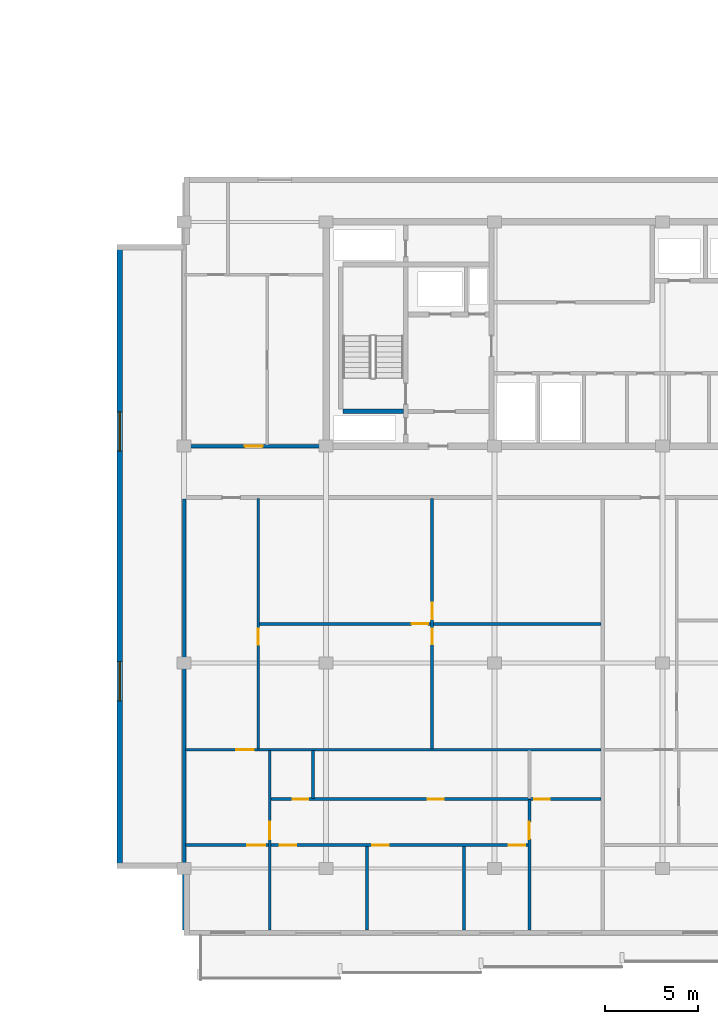
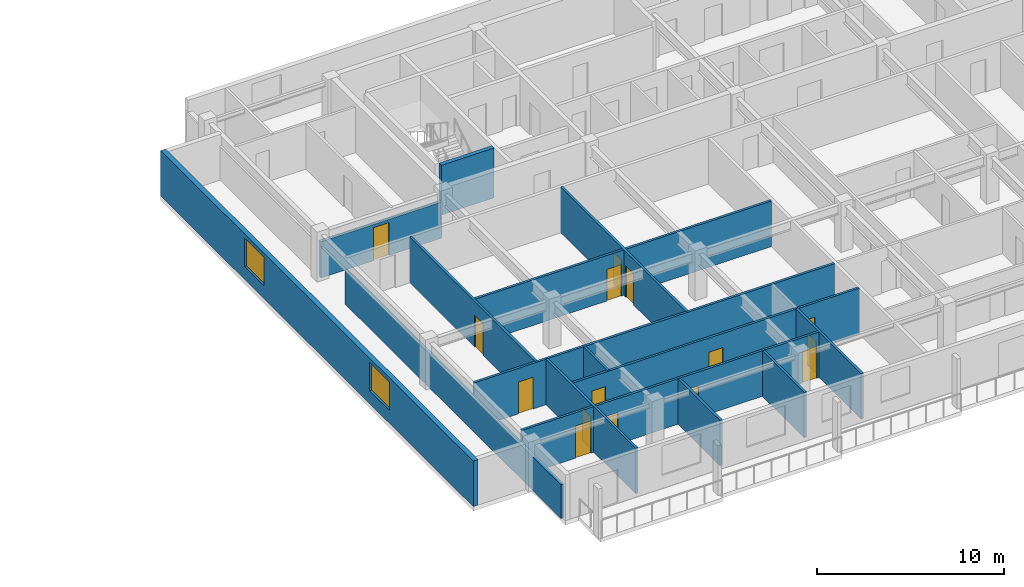
# One storey, part 4 of 22: 15 doors, 15 walls, 2 windows, 17 openings.
"""IFC4 building model written with IfcOpenShell, lengths in metres."""

from ifc_helpers import new_model, si_unit, direction, frame, frame_2d, origin, place, context, subcontext, project, spatial, rectangle, extrude, material, layer, layer_set, type_object, element, fill, save


model = new_model("IFC4")

# Units and contexts
model_context = context("Model", 3, precision=1e-05, world=origin(), true_north=direction((0.0, 1.0)))
body_context = subcontext(model_context, "Body", "Model", "MODEL_VIEW")
ifc_project = project(units=[si_unit("LENGTHUNIT", "METRE"), si_unit("AREAUNIT", "SQUARE_METRE"), si_unit("VOLUMEUNIT", "CUBIC_METRE"), si_unit("PLANEANGLEUNIT", "RADIAN"), si_unit("MASSUNIT", "GRAM", prefix="KILO")], contexts=[model_context])

# Site, building, storey
site_placement = place(None, origin())
site = spatial("IfcSite", under=ifc_project, at=site_placement, CompositionType="ELEMENT")
building_placement = place(site_placement, origin())
building = spatial("IfcBuilding", under=site, at=building_placement, Name="Korimba Cascade Residences", CompositionType="ELEMENT")
storey_placement = place(building_placement, frame((0.0, 0.0, 197.85009765625)))
storey = spatial("IfcBuildingStorey", under=building, at=storey_placement, Name="L57", CompositionType="ELEMENT", Elevation=197.85009765625)

# Wall, openings, windows
ifc_material_1 = material(Name="Precast concrete C40/50", Category="concrete")
ifc_layer_1 = layer(ifc_material_1, 0.300048828125)
ifc_layer_set_1 = layer_set([ifc_layer_1], Name="Precast concrete C40/50")
wall_type_1 = type_object("IfcWallType", Name="EW-STONE-300", PredefinedType="STANDARD", material=ifc_layer_set_1)
wall_1_placement = place(storey_placement, frame((71.050048828125, 29.199951171875, 0.0), z_axis=(0.0, 0.0, 1.0), x_axis=(0.0, -1.0, 0.0)))
wall_1 = element("IfcWall", 1, at=wall_1_placement, inside=storey, type_object=wall_type_1, Name="L57 T2 Perimeter Stone Wall E09", PredefinedType="STANDARD", context=body_context, shape_type="SweptSolid", body=[
    extrude(rectangle(XDim=33.39990234375, YDim=0.300048828125, at=frame_2d((16.699951171875, 0.0))), origin(), (0.0, 0.0, 1.0), 2.969970703125),
])
opening_1_placement = place(wall_1_placement, frame((8.969970703125, 0.0, 0.85009765625)))
opening_1 = element("IfcOpeningElement", 2, at=opening_1_placement, cuts=wall_1, Name="Opening W-03", PredefinedType="OPENING", context=body_context, shape_type="SweptSolid", body=[
    extrude(rectangle(XDim=2.10009765625, YDim=1.85009765625, at=frame_2d((1.050048828125, 0.925048828125))), frame((0.0, 0.16015625, 0.0), z_axis=(0.0, -1.0, 0.0), x_axis=(1.0, 0.0, 0.0)), (0.0, 0.0, 1.0), 0.320068359375),
])
opening_2_placement = place(wall_1_placement, frame((22.330078125, 0.0, 0.85009765625)))
opening_2 = element("IfcOpeningElement", 3, at=opening_2_placement, cuts=wall_1, Name="Opening W-03", PredefinedType="OPENING", context=body_context, shape_type="SweptSolid", body=[
    extrude(rectangle(XDim=2.10009765625, YDim=1.85009765625, at=frame_2d((1.050048828125, 0.925048828125))), frame((0.0, 0.16015625, 0.0), z_axis=(0.0, -1.0, 0.0), x_axis=(1.0, 0.0, 0.0)), (0.0, 0.0, 1.0), 0.320068359375),
])
ifc_material_2 = material(Name="Double-Glazed Aluminium Window", Category="aluminium")
window_type = type_object("IfcWindowType", Name="WIN-CRN-2100", PartitioningType="DOUBLE_PANEL_HORIZONTAL", PredefinedType="WINDOW", material=ifc_material_2)
window_1_placement = place(opening_1_placement, origin())
window_1 = element("IfcWindow", 4, at=window_1_placement, inside=storey, type_object=window_type, Name="L57 T2 End View Window 9.1", OverallHeight=1.85009765625, OverallWidth=2.10009765625, PartitioningType="DOUBLE_PANEL_HORIZONTAL", PredefinedType="WINDOW", context=body_context, shape_type="SweptSolid", body=[
    extrude(rectangle(XDim=2.10009765625, YDim=1.85009765625, at=frame_2d((1.050048828125, 0.925048828125))), frame((0.0, 0.030029296875, 0.0), z_axis=(0.0, -1.0, 0.0), x_axis=(1.0, 0.0, 0.0)), (0.0, 0.0, 1.0), 0.06005859375),
])
fill(opening_1, window_1)
window_2_placement = place(opening_2_placement, origin())
window_2 = element("IfcWindow", 5, at=window_2_placement, inside=storey, type_object=window_type, Name="L57 T2 End View Window 9.2", OverallHeight=1.85009765625, OverallWidth=2.10009765625, PartitioningType="DOUBLE_PANEL_HORIZONTAL", PredefinedType="WINDOW", context=body_context, shape_type="SweptSolid", body=[
    extrude(rectangle(XDim=2.10009765625, YDim=1.85009765625, at=frame_2d((1.050048828125, 0.925048828125))), frame((0.0, 0.030029296875, 0.0), z_axis=(0.0, -1.0, 0.0), x_axis=(1.0, 0.0, 0.0)), (0.0, 0.0, 1.0), 0.06005859375),
])
fill(opening_2, window_2)

# Wall, opening, door
ifc_layer_2 = layer(ifc_material_1, 0.199951171875)
ifc_layer_set_2 = layer_set([ifc_layer_2], Name="Precast concrete C40/50")
wall_type_2 = type_object("IfcWallType", Name="WAL-IT-200", PredefinedType="PARTITIONING", material=ifc_layer_set_2)
wall_2_placement = place(storey_placement, frame((74.5, 18.39990234375, 0.0), z_axis=(0.0, 0.0, 1.0), x_axis=(1.0, 0.0, 0.0)))
wall_2 = element("IfcWall", 6, at=wall_2_placement, inside=storey, type_object=wall_type_2, Name="L57 Partition Wall WAL-L57-T2-FW-S", PredefinedType="PARTITIONING", context=body_context, shape_type="SweptSolid", body=[
    extrude(rectangle(XDim=7.449951171875, YDim=0.199951171875, at=frame_2d((3.72509765625, 0.0))), origin(), (0.0, 0.0, 1.0), 2.357666015625),
])
opening_3_placement = place(wall_2_placement, frame((3.25, 0.0, 0.0)))
opening_3 = element("IfcOpeningElement", 7, at=opening_3_placement, cuts=wall_2, Name="Opening D-UN1", PredefinedType="OPENING", context=body_context, shape_type="SweptSolid", body=[
    extrude(rectangle(XDim=0.949951171875, YDim=2.14990234375, at=frame_2d((0.47509765625, 1.074951171875))), frame((0.0, 0.10986328125, 0.0), z_axis=(0.0, -1.0, 0.0), x_axis=(1.0, 0.0, 0.0)), (0.0, 0.0, 1.0), 0.219970703125),
])
ifc_material_3 = material(Name="Fire-Rated Hardwood Apartment Entrance Door", Category="wood")
door_type_1 = type_object("IfcDoorType", Name="DR-FD60-950", OperationType="NOTDEFINED", PredefinedType="DOOR", material=ifc_material_3)
door_1_placement = place(opening_3_placement, origin())
door_1 = element("IfcDoor", 8, at=door_1_placement, inside=storey, type_object=door_type_1, Name="L57-T2-FW Entrance Door", OperationType="SINGLE_SWING_LEFT", OverallHeight=2.14990234375, OverallWidth=0.949951171875, PredefinedType="DOOR", context=body_context, shape_type="SweptSolid", body=[
    extrude(rectangle(XDim=0.949951171875, YDim=2.14990234375, at=frame_2d((0.47509765625, 1.074951171875))), frame((0.0, 0.02490234375, 0.0), z_axis=(0.0, -1.0, 0.0), x_axis=(1.0, 0.0, 0.0)), (0.0, 0.0, 1.0), 0.050048828125),
])
fill(opening_3, door_1)

# Wall
wall_3_placement = place(storey_placement, frame((74.5, -7.5, 0.0), z_axis=(0.0, 0.0, 1.0), x_axis=(0.0, 1.0, 0.0)))
element("IfcWall", 9, at=wall_3_placement, inside=storey, type_object=wall_type_2, Name="L57 Partition Wall WAL-L57-T2-BNDWL", PredefinedType="PARTITIONING", context=body_context, shape_type="SweptSolid", body=[
    extrude(rectangle(XDim=23.070068359375, YDim=0.199951171875, at=frame_2d((11.53515625, 0.0))), origin(), (0.0, 0.0, 1.0), 2.2001953125),
])

# Wall, openings, doors
ifc_material_4 = material(Name="Insulated Acoustic Stud Partition", Category="gypsum")
ifc_layer_3 = layer(ifc_material_4, 0.14990234375)
ifc_layer_set_3 = layer_set([ifc_layer_3], Name="Insulated Acoustic Stud Partition")
wall_type_3 = type_object("IfcWallType", Name="WAL-PART-150", PredefinedType="PARTITIONING", material=ifc_layer_set_3)
wall_4_placement = place(storey_placement, frame((87.7744140625, 2.18994140625, 0.0), z_axis=(0.0, 0.0, 1.0), x_axis=(0.0, 1.0, 0.0)))
wall_4 = element("IfcWall", 10, at=wall_4_placement, inside=storey, type_object=wall_type_3, Name="L57 Partition Wall WAL-L57-T2-U01-FMV", PredefinedType="PARTITIONING", context=body_context, shape_type="SweptSolid", body=[
    extrude(rectangle(XDim=13.400146484375, YDim=0.14990234375, at=frame_2d((6.7001953125, 0.0))), origin(), (0.0, 0.0, 1.0), 2.969970703125),
])
opening_4_placement = place(wall_4_placement, frame((5.610107421875, 0.0, 0.0)))
opening_4 = element("IfcOpeningElement", 11, at=opening_4_placement, cuts=wall_4, Name="Opening D-BT1", PredefinedType="OPENING", context=body_context, shape_type="SweptSolid", body=[
    extrude(rectangle(XDim=0.840087890625, YDim=2.0400390625, at=frame_2d((0.419921875, 1.02001953125))), frame((0.0, 0.0849609375, 0.0), z_axis=(0.0, -1.0, 0.0), x_axis=(1.0, 0.0, 0.0)), (0.0, 0.0, 1.0), 0.169921875),
])
opening_5_placement = place(wall_4_placement, frame((6.949951171875, 0.0, 0.0)))
opening_5 = element("IfcOpeningElement", 12, at=opening_5_placement, cuts=wall_4, Name="Opening D-IN2", PredefinedType="OPENING", context=body_context, shape_type="SweptSolid", body=[
    extrude(rectangle(XDim=0.8798828125, YDim=2.06005859375, at=frame_2d((0.43994140625, 1.030029296875))), frame((0.0, 0.0849609375, 0.0), z_axis=(0.0, -1.0, 0.0), x_axis=(1.0, 0.0, 0.0)), (0.0, 0.0, 1.0), 0.169921875),
])
ifc_material_5 = material(Name="Moisture-Resistant Bathroom Timber Door", Category="wood")
door_type_2 = type_object("IfcDoorType", Name="DR-INT-850", OperationType="NOTDEFINED", PredefinedType="DOOR", material=ifc_material_5)
door_2_placement = place(opening_4_placement, origin())
door_2 = element("IfcDoor", 13, at=door_2_placement, inside=storey, type_object=door_type_2, Name="L57-T2-U01 Wardrobe Door", OperationType="SINGLE_SWING_RIGHT", OverallHeight=2.0400390625, OverallWidth=0.840087890625, PredefinedType="DOOR", context=body_context, shape_type="SweptSolid", body=[
    extrude(rectangle(XDim=0.840087890625, YDim=2.0400390625, at=frame_2d((0.419921875, 1.02001953125))), frame((0.0, 0.02490234375, 0.0), z_axis=(0.0, -1.0, 0.0), x_axis=(1.0, 0.0, 0.0)), (0.0, 0.0, 1.0), 0.050048828125),
])
fill(opening_4, door_2)
ifc_material_6 = material(Name="Acoustic Timber Bedroom Door", Category="wood")
door_type_3 = type_object("IfcDoorType", Name="DR-INT-880", OperationType="NOTDEFINED", PredefinedType="DOOR", material=ifc_material_6)
door_3_placement = place(opening_5_placement, origin())
door_3 = element("IfcDoor", 14, at=door_3_placement, inside=storey, type_object=door_type_3, Name="L57-T2-U01 Music Lounge Door", OperationType="SINGLE_SWING_LEFT", OverallHeight=2.06005859375, OverallWidth=0.8798828125, PredefinedType="DOOR", context=body_context, shape_type="SweptSolid", body=[
    extrude(rectangle(XDim=0.8798828125, YDim=2.06005859375, at=frame_2d((0.43994140625, 1.030029296875))), frame((0.0, 0.02490234375, 0.0), z_axis=(0.0, -1.0, 0.0), x_axis=(1.0, 0.0, 0.0)), (0.0, 0.0, 1.0), 0.050048828125),
])
fill(opening_5, door_3)

# Wall, opening, door
wall_5_placement = place(storey_placement, frame((78.530029296875, 8.889892578125, 0.0), z_axis=(0.0, 0.0, 1.0), x_axis=(1.0, 0.0, 0.0)))
wall_5 = element("IfcWall", 15, at=wall_5_placement, inside=storey, type_object=wall_type_3, Name="L57 Partition Wall WAL-L57-T2-U01-FMH", PredefinedType="PARTITIONING", context=body_context, shape_type="SweptSolid", body=[
    extrude(rectangle(XDim=18.2890625, YDim=0.14990234375, at=frame_2d((9.14453125, 0.0))), origin(), (0.0, 0.0, 1.0), 2.969970703125),
])
opening_6_placement = place(wall_5_placement, frame((8.14453125, 0.0, 0.0)))
opening_6 = element("IfcOpeningElement", 16, at=opening_6_placement, cuts=wall_5, Name="Opening D-IN2", PredefinedType="OPENING", context=body_context, shape_type="SweptSolid", body=[
    extrude(rectangle(XDim=0.8798828125, YDim=2.06005859375, at=frame_2d((0.43994140625, 1.030029296875))), frame((0.0, 0.0849609375, 0.0), z_axis=(0.0, -1.0, 0.0), x_axis=(1.0, 0.0, 0.0)), (0.0, 0.0, 1.0), 0.169921875),
])
door_4_placement = place(opening_6_placement, origin())
door_4 = element("IfcDoor", 17, at=door_4_placement, inside=storey, type_object=door_type_3, Name="L57-T2-U01 Library Salon Door", OperationType="SINGLE_SWING_RIGHT", OverallHeight=2.06005859375, OverallWidth=0.8798828125, PredefinedType="DOOR", context=body_context, shape_type="SweptSolid", body=[
    extrude(rectangle(XDim=0.8798828125, YDim=2.06005859375, at=frame_2d((0.43994140625, 1.030029296875))), frame((0.0, 0.02490234375, 0.0), z_axis=(0.0, -1.0, 0.0), x_axis=(1.0, 0.0, 0.0)), (0.0, 0.0, 1.0), 0.050048828125),
])
fill(opening_6, door_4)

wall_6_placement = place(storey_placement, frame((78.469970703125, 2.18994140625, 0.0), z_axis=(0.0, 0.0, 1.0), x_axis=(0.0, 1.0, 0.0)))
wall_6 = element("IfcWall", 18, at=wall_6_placement, inside=storey, type_object=wall_type_3, Name="L57 Partition Wall WAL-L57-T2-U01-FV", PredefinedType="PARTITIONING", context=body_context, shape_type="SweptSolid", body=[
    extrude(rectangle(XDim=13.400146484375, YDim=0.14990234375, at=frame_2d((6.7001953125, 0.0))), origin(), (0.0, 0.0, 1.0), 2.969970703125),
])
opening_7_placement = place(wall_6_placement, frame((5.570068359375, 0.0, 0.0)))
opening_7 = element("IfcOpeningElement", 19, at=opening_7_placement, cuts=wall_6, Name="Opening D-IN2", PredefinedType="OPENING", context=body_context, shape_type="SweptSolid", body=[
    extrude(rectangle(XDim=0.8798828125, YDim=2.06005859375, at=frame_2d((0.43994140625, 1.030029296875))), frame((0.0, 0.0849609375, 0.0), z_axis=(0.0, -1.0, 0.0), x_axis=(1.0, 0.0, 0.0)), (0.0, 0.0, 1.0), 0.169921875),
])
door_5_placement = place(opening_7_placement, origin())
door_5 = element("IfcDoor", 20, at=door_5_placement, inside=storey, type_object=door_type_3, Name="L57-T2-U01 Media Lounge Door", OperationType="SINGLE_SWING_LEFT", OverallHeight=2.06005859375, OverallWidth=0.8798828125, PredefinedType="DOOR", context=body_context, shape_type="SweptSolid", body=[
    extrude(rectangle(XDim=0.8798828125, YDim=2.06005859375, at=frame_2d((0.43994140625, 1.030029296875))), frame((0.0, 0.02490234375, 0.0), z_axis=(0.0, -1.0, 0.0), x_axis=(1.0, 0.0, 0.0)), (0.0, 0.0, 1.0), 0.050048828125),
])
fill(opening_7, door_5)

# Walls
wall_7_placement = place(storey_placement, frame((81.389892578125, -0.469970703125, 0.0), z_axis=(0.0, 0.0, 1.0), x_axis=(0.0, 1.0, 0.0)))
element("IfcWall", 21, at=wall_7_placement, inside=storey, type_object=wall_type_3, Name="L57 Partition Wall WAL-L57-T2-U01-VDRS", PredefinedType="PARTITIONING", context=body_context, shape_type="SweptSolid", body=[
    extrude(rectangle(XDim=2.580078125, YDim=0.14990234375, at=frame_2d((1.2900390625, 0.0))), origin(), (0.0, 0.0, 1.0), 2.969970703125),
])
for number, where, z_axis, x_axis, name in (
    (22, (84.280029296875, -7.5, 0.0), (0.0, 0.0, 1.0), (0.0, 1.0, 0.0), "L57 Partition Wall WAL-L57-T2-U01-VB2"),
    (23, (89.47998046875, -7.5, 0.0), (0.0, 0.0, 1.0), (0.0, 1.0, 0.0), "L57 Partition Wall WAL-L57-T2-U01-VB3"),
):
    element("IfcWall", number, at=place(storey_placement, frame(where, z_axis=z_axis, x_axis=x_axis)), inside=storey, type_object=wall_type_3, Name=name, PredefinedType="PARTITIONING", context=body_context, shape_type="SweptSolid", body=[
        extrude(rectangle(XDim=4.469970703125, YDim=0.14990234375, at=frame_2d((2.23486328125, 0.0))), origin(), (0.0, 0.0, 1.0), 2.969970703125),
    ])

# Wall, opening, door
wall_8_placement = place(storey_placement, frame((79.080078125, -7.5, 0.0), z_axis=(0.0, 0.0, 1.0), x_axis=(0.0, 1.0, 0.0)))
wall_8 = element("IfcWall", 24, at=wall_8_placement, inside=storey, type_object=wall_type_3, Name="L57 Partition Wall WAL-L57-T2-U01-V1", PredefinedType="PARTITIONING", context=body_context, shape_type="SweptSolid", body=[
    extrude(rectangle(XDim=9.610107421875, YDim=0.14990234375, at=frame_2d((4.80517578125, 0.0))), origin(), (0.0, 0.0, 1.0), 2.969970703125),
])
opening_8_placement = place(wall_8_placement, frame((4.8701171875, 0.0, 0.0)))
opening_8 = element("IfcOpeningElement", 25, at=opening_8_placement, cuts=wall_8, Name="Opening D-IN1", PredefinedType="OPENING", context=body_context, shape_type="SweptSolid", body=[
    extrude(rectangle(XDim=0.919921875, YDim=2.080078125, at=frame_2d((0.4599609375, 1.0400390625))), frame((0.0, 0.0849609375, 0.0), z_axis=(0.0, -1.0, 0.0), x_axis=(1.0, 0.0, 0.0)), (0.0, 0.0, 1.0), 0.169921875),
])
ifc_material_7 = material(Name="Acoustic Timber Living Door", Category="wood")
door_type_4 = type_object("IfcDoorType", Name="DR-INT-920", OperationType="NOTDEFINED", PredefinedType="DOOR", material=ifc_material_7)
door_6_placement = place(opening_8_placement, origin())
door_6 = element("IfcDoor", 26, at=door_6_placement, inside=storey, type_object=door_type_4, Name="L57-T2-U01 Hallway Door", OperationType="SINGLE_SWING_RIGHT", OverallHeight=2.080078125, OverallWidth=0.919921875, PredefinedType="DOOR", context=body_context, shape_type="SweptSolid", body=[
    extrude(rectangle(XDim=0.919921875, YDim=2.080078125, at=frame_2d((0.4599609375, 1.0400390625))), frame((0.0, 0.02490234375, 0.0), z_axis=(0.0, -1.0, 0.0), x_axis=(1.0, 0.0, 0.0)), (0.0, 0.0, 1.0), 0.050048828125),
])
fill(opening_8, door_6)

wall_9_placement = place(storey_placement, frame((92.97998046875, -7.5, 0.0), z_axis=(0.0, 0.0, 1.0), x_axis=(0.0, 1.0, 0.0)))
wall_9 = element("IfcWall", 27, at=wall_9_placement, inside=storey, type_object=wall_type_3, Name="L57 Partition Wall WAL-L57-T2-U01-V2FULL", PredefinedType="PARTITIONING", context=body_context, shape_type="SweptSolid", body=[
    extrude(rectangle(XDim=6.989990234375, YDim=0.14990234375, at=frame_2d((3.4951171875, 0.0))), origin(), (0.0, 0.0, 1.0), 2.969970703125),
])
opening_9_placement = place(wall_9_placement, frame((4.8701171875, 0.0, 0.0)))
opening_9 = element("IfcOpeningElement", 28, at=opening_9_placement, cuts=wall_9, Name="Opening D-IN1", PredefinedType="OPENING", context=body_context, shape_type="SweptSolid", body=[
    extrude(rectangle(XDim=0.919921875, YDim=2.080078125, at=frame_2d((0.4599609375, 1.0400390625))), frame((0.0, 0.0849609375, 0.0), z_axis=(0.0, -1.0, 0.0), x_axis=(1.0, 0.0, 0.0)), (0.0, 0.0, 1.0), 0.169921875),
])
door_7_placement = place(opening_9_placement, origin())
door_7 = element("IfcDoor", 29, at=door_7_placement, inside=storey, type_object=door_type_4, Name="L57-T2-U01 Master Bedroom Door", OperationType="SINGLE_SWING_LEFT", OverallHeight=2.080078125, OverallWidth=0.919921875, PredefinedType="DOOR", context=body_context, shape_type="SweptSolid", body=[
    extrude(rectangle(XDim=0.919921875, YDim=2.080078125, at=frame_2d((0.4599609375, 1.0400390625))), frame((0.0, 0.02490234375, 0.0), z_axis=(0.0, -1.0, 0.0), x_axis=(1.0, 0.0, 0.0)), (0.0, 0.0, 1.0), 0.050048828125),
])
fill(opening_9, door_7)

# Wall, openings, doors
wall_10_placement = place(storey_placement, frame((79.1201171875, -0.489990234375, 0.0), z_axis=(0.0, 0.0, 1.0), x_axis=(1.0, 0.0, 0.0)))
wall_10 = element("IfcWall", 30, at=wall_10_placement, inside=storey, type_object=wall_type_3, Name="L57 Partition Wall WAL-L57-T2-U01-HWALL", PredefinedType="PARTITIONING", context=body_context, shape_type="SweptSolid", body=[
    extrude(rectangle(XDim=17.698974609375, YDim=0.14990234375, at=frame_2d((8.849609375, 0.0))), origin(), (0.0, 0.0, 1.0), 2.969970703125),
])
opening_10_placement = place(wall_10_placement, frame((1.19091796875, 0.0, 0.0)))
opening_10 = element("IfcOpeningElement", 31, at=opening_10_placement, cuts=wall_10, Name="Opening D-BT1", PredefinedType="OPENING", context=body_context, shape_type="SweptSolid", body=[
    extrude(rectangle(XDim=0.840087890625, YDim=2.0400390625, at=frame_2d((0.419921875, 1.02001953125))), frame((0.0, 0.0849609375, 0.0), z_axis=(0.0, -1.0, 0.0), x_axis=(1.0, 0.0, 0.0)), (0.0, 0.0, 1.0), 0.169921875),
])
opening_11_placement = place(wall_10_placement, frame((8.4296875, 0.0, 0.0)))
opening_11 = element("IfcOpeningElement", 32, at=opening_11_placement, cuts=wall_10, Name="Opening D-BT1", PredefinedType="OPENING", context=body_context, shape_type="SweptSolid", body=[
    extrude(rectangle(XDim=0.840087890625, YDim=2.0400390625, at=frame_2d((0.419921875, 1.02001953125))), frame((0.0, 0.0849609375, 0.0), z_axis=(0.0, -1.0, 0.0), x_axis=(1.0, 0.0, 0.0)), (0.0, 0.0, 1.0), 0.169921875),
])
opening_12_placement = place(wall_10_placement, frame((14.110107421875, 0.0, 0.0)))
opening_12 = element("IfcOpeningElement", 33, at=opening_12_placement, cuts=wall_10, Name="Opening D-BT1", PredefinedType="OPENING", context=body_context, shape_type="SweptSolid", body=[
    extrude(rectangle(XDim=0.840087890625, YDim=2.0400390625, at=frame_2d((0.419921875, 1.02001953125))), frame((0.0, 0.0849609375, 0.0), z_axis=(0.0, -1.0, 0.0), x_axis=(1.0, 0.0, 0.0)), (0.0, 0.0, 1.0), 0.169921875),
])
door_8_placement = place(opening_10_placement, origin())
door_8 = element("IfcDoor", 34, at=door_8_placement, inside=storey, type_object=door_type_2, Name="L57-T2-U01 Family Bathroom Door", OperationType="SINGLE_SWING_RIGHT", OverallHeight=2.0400390625, OverallWidth=0.840087890625, PredefinedType="DOOR", context=body_context, shape_type="SweptSolid", body=[
    extrude(rectangle(XDim=0.840087890625, YDim=2.0400390625, at=frame_2d((0.419921875, 1.02001953125))), frame((0.0, 0.02490234375, 0.0), z_axis=(0.0, -1.0, 0.0), x_axis=(1.0, 0.0, 0.0)), (0.0, 0.0, 1.0), 0.050048828125),
])
fill(opening_10, door_8)
door_9_placement = place(opening_11_placement, origin())
door_9 = element("IfcDoor", 35, at=door_9_placement, inside=storey, type_object=door_type_2, Name="L57-T2-U01 Dressing Room Door", OperationType="SINGLE_SWING_LEFT", OverallHeight=2.0400390625, OverallWidth=0.840087890625, PredefinedType="DOOR", context=body_context, shape_type="SweptSolid", body=[
    extrude(rectangle(XDim=0.840087890625, YDim=2.0400390625, at=frame_2d((0.419921875, 1.02001953125))), frame((0.0, 0.02490234375, 0.0), z_axis=(0.0, -1.0, 0.0), x_axis=(1.0, 0.0, 0.0)), (0.0, 0.0, 1.0), 0.050048828125),
])
fill(opening_11, door_9)
door_10_placement = place(opening_12_placement, origin())
door_10 = element("IfcDoor", 36, at=door_10_placement, inside=storey, type_object=door_type_2, Name="L57-T2-U01 En-Suite Door", OperationType="SINGLE_SWING_RIGHT", OverallHeight=2.0400390625, OverallWidth=0.840087890625, PredefinedType="DOOR", context=body_context, shape_type="SweptSolid", body=[
    extrude(rectangle(XDim=0.840087890625, YDim=2.0400390625, at=frame_2d((0.419921875, 1.02001953125))), frame((0.0, 0.02490234375, 0.0), z_axis=(0.0, -1.0, 0.0), x_axis=(1.0, 0.0, 0.0)), (0.0, 0.0, 1.0), 0.050048828125),
])
fill(opening_12, door_10)

# Wall, opening, door
wall_11_placement = place(storey_placement, frame((74.580078125, 2.14990234375, 0.0), z_axis=(0.0, 0.0, 1.0), x_axis=(1.0, 0.0, 0.0)))
wall_11 = element("IfcWall", 37, at=wall_11_placement, inside=storey, type_object=wall_type_3, Name="L57 Partition Wall WAL-L57-T2-U01-MW", PredefinedType="PARTITIONING", context=body_context, shape_type="SweptSolid", body=[
    extrude(rectangle(XDim=22.239013671875, YDim=0.14990234375, at=frame_2d((11.11962890625, 0.0))), origin(), (0.0, 0.0, 1.0), 2.969970703125),
])
opening_13_placement = place(wall_11_placement, frame((2.719970703125, 0.0, 0.0)))
opening_13 = element("IfcOpeningElement", 38, at=opening_13_placement, cuts=wall_11, Name="Opening D-IN1", PredefinedType="OPENING", context=body_context, shape_type="SweptSolid", body=[
    extrude(rectangle(XDim=0.919921875, YDim=2.080078125, at=frame_2d((0.4599609375, 1.0400390625))), frame((0.0, 0.0849609375, 0.0), z_axis=(0.0, -1.0, 0.0), x_axis=(1.0, 0.0, 0.0)), (0.0, 0.0, 1.0), 0.169921875),
])
door_11_placement = place(opening_13_placement, origin())
door_11 = element("IfcDoor", 39, at=door_11_placement, inside=storey, type_object=door_type_4, Name="L57-T2-U01 Kitchen Door", OperationType="SINGLE_SWING_LEFT", OverallHeight=2.080078125, OverallWidth=0.919921875, PredefinedType="DOOR", context=body_context, shape_type="SweptSolid", body=[
    extrude(rectangle(XDim=0.919921875, YDim=2.080078125, at=frame_2d((0.4599609375, 1.0400390625))), frame((0.0, 0.02490234375, 0.0), z_axis=(0.0, -1.0, 0.0), x_axis=(1.0, 0.0, 0.0)), (0.0, 0.0, 1.0), 0.050048828125),
])
fill(opening_13, door_11)

# Wall, openings, doors
wall_12_placement = place(storey_placement, frame((74.580078125, -2.949951171875, 0.0), z_axis=(0.0, 0.0, 1.0), x_axis=(1.0, 0.0, 0.0)))
wall_12 = element("IfcWall", 40, at=wall_12_placement, inside=storey, type_object=wall_type_3, Name="L57 Partition Wall WAL-L57-T2-U01-HZ", PredefinedType="PARTITIONING", context=body_context, shape_type="SweptSolid", body=[
    extrude(rectangle(XDim=18.39990234375, YDim=0.14990234375, at=frame_2d((9.199951171875, 0.0))), origin(), (0.0, 0.0, 1.0), 2.969970703125),
])
opening_14_placement = place(wall_12_placement, frame((3.31005859375, 0.0, 0.0)))
opening_14 = element("IfcOpeningElement", 41, at=opening_14_placement, cuts=wall_12, Name="Opening D-IN0", PredefinedType="OPENING", context=body_context, shape_type="SweptSolid", body=[
    extrude(rectangle(XDim=0.93994140625, YDim=2.10009765625, at=frame_2d((0.469970703125, 1.050048828125))), frame((0.0, 0.0849609375, 0.0), z_axis=(0.0, -1.0, 0.0), x_axis=(1.0, 0.0, 0.0)), (0.0, 0.0, 1.0), 0.169921875),
])
opening_15_placement = place(wall_12_placement, frame((5.030517578125, 0.0, 0.0)))
opening_15 = element("IfcOpeningElement", 42, at=opening_15_placement, cuts=wall_12, Name="Opening D-IN2", PredefinedType="OPENING", context=body_context, shape_type="SweptSolid", body=[
    extrude(rectangle(XDim=0.8798828125, YDim=2.06005859375, at=frame_2d((0.43994140625, 1.030029296875))), frame((0.0, 0.0849609375, 0.0), z_axis=(0.0, -1.0, 0.0), x_axis=(1.0, 0.0, 0.0)), (0.0, 0.0, 1.0), 0.169921875),
])
opening_16_placement = place(wall_12_placement, frame((9.99755859375, 0.0, 0.0)))
opening_16 = element("IfcOpeningElement", 43, at=opening_16_placement, cuts=wall_12, Name="Opening D-IN2", PredefinedType="OPENING", context=body_context, shape_type="SweptSolid", body=[
    extrude(rectangle(XDim=0.8798828125, YDim=2.06005859375, at=frame_2d((0.43994140625, 1.030029296875))), frame((0.0, 0.0849609375, 0.0), z_axis=(0.0, -1.0, 0.0), x_axis=(1.0, 0.0, 0.0)), (0.0, 0.0, 1.0), 0.169921875),
])
opening_17_placement = place(wall_12_placement, frame((17.300048828125, 0.0, 0.0)))
opening_17 = element("IfcOpeningElement", 44, at=opening_17_placement, cuts=wall_12, Name="Opening D-IN2", PredefinedType="OPENING", context=body_context, shape_type="SweptSolid", body=[
    extrude(rectangle(XDim=0.8798828125, YDim=2.06005859375, at=frame_2d((0.43994140625, 1.030029296875))), frame((0.0, 0.0849609375, 0.0), z_axis=(0.0, -1.0, 0.0), x_axis=(1.0, 0.0, 0.0)), (0.0, 0.0, 1.0), 0.169921875),
])
door_12_placement = place(opening_15_placement, origin())
door_12 = element("IfcDoor", 45, at=door_12_placement, inside=storey, type_object=door_type_3, Name="L57-T2-U01 Bedroom 2 Door", OperationType="SINGLE_SWING_LEFT", OverallHeight=2.06005859375, OverallWidth=0.8798828125, PredefinedType="DOOR", context=body_context, shape_type="SweptSolid", body=[
    extrude(rectangle(XDim=0.8798828125, YDim=2.06005859375, at=frame_2d((0.43994140625, 1.030029296875))), frame((0.0, 0.02490234375, 0.0), z_axis=(0.0, -1.0, 0.0), x_axis=(1.0, 0.0, 0.0)), (0.0, 0.0, 1.0), 0.050048828125),
])
fill(opening_15, door_12)
door_13_placement = place(opening_16_placement, origin())
door_13 = element("IfcDoor", 46, at=door_13_placement, inside=storey, type_object=door_type_3, Name="L57-T2-U01 Bedroom 3 Door", OperationType="SINGLE_SWING_RIGHT", OverallHeight=2.06005859375, OverallWidth=0.8798828125, PredefinedType="DOOR", context=body_context, shape_type="SweptSolid", body=[
    extrude(rectangle(XDim=0.8798828125, YDim=2.06005859375, at=frame_2d((0.43994140625, 1.030029296875))), frame((0.0, 0.02490234375, 0.0), z_axis=(0.0, -1.0, 0.0), x_axis=(1.0, 0.0, 0.0)), (0.0, 0.0, 1.0), 0.050048828125),
])
fill(opening_16, door_13)
door_14_placement = place(opening_17_placement, origin())
door_14 = element("IfcDoor", 47, at=door_14_placement, inside=storey, type_object=door_type_3, Name="L57-T2-U01 Study Door", OperationType="SINGLE_SWING_LEFT", OverallHeight=2.06005859375, OverallWidth=0.8798828125, PredefinedType="DOOR", context=body_context, shape_type="SweptSolid", body=[
    extrude(rectangle(XDim=0.8798828125, YDim=2.06005859375, at=frame_2d((0.43994140625, 1.030029296875))), frame((0.0, 0.02490234375, 0.0), z_axis=(0.0, -1.0, 0.0), x_axis=(1.0, 0.0, 0.0)), (0.0, 0.0, 1.0), 0.050048828125),
])
fill(opening_17, door_14)
ifc_material_8 = material(Name="Acoustic Timber Living Archway Door", Category="wood")
door_type_5 = type_object("IfcDoorType", Name="DR-INT-950", OperationType="NOTDEFINED", PredefinedType="DOOR", material=ifc_material_8)
door_15_placement = place(opening_14_placement, origin())
door_15 = element("IfcDoor", 48, at=door_15_placement, inside=storey, type_object=door_type_5, Name="L57-T2-U01 Living Room Door", OperationType="SINGLE_SWING_RIGHT", OverallHeight=2.10009765625, OverallWidth=0.93994140625, PredefinedType="DOOR", context=body_context, shape_type="SweptSolid", body=[
    extrude(rectangle(XDim=0.93994140625, YDim=2.10009765625, at=frame_2d((0.469970703125, 1.050048828125))), frame((0.0, 0.02490234375, 0.0), z_axis=(0.0, -1.0, 0.0), x_axis=(1.0, 0.0, 0.0)), (0.0, 0.0, 1.0), 0.050048828125),
])
fill(opening_14, door_15)

# Wall
ifc_material_9 = material(Name="Concrete C50/60", Category="concrete")
ifc_layer_4 = layer(ifc_material_9, 0.25)
ifc_layer_set_4 = layer_set([ifc_layer_4], Name="Concrete C50/60")
wall_type_4 = type_object("IfcWallType", Name="WAL-SHAFT-250", PredefinedType="SHEAR", material=ifc_layer_set_4)
wall_13_placement = place(storey_placement, frame((83.0, 20.27490234375, 0.0), z_axis=(0.0, 0.0, 1.0), x_axis=(1.0, 0.0, 0.0)))
element("IfcWall", 49, at=wall_13_placement, inside=storey, type_object=wall_type_4, Name="L57 Core Shear Wall CW-L57-T2-STE1S", PredefinedType="SHEAR", context=body_context, shape_type="SweptSolid", body=[
    extrude(rectangle(XDim=3.239990234375, YDim=0.25, at=frame_2d((1.6201171875, 0.0))), origin(), (0.0, 0.0, 1.0), 3.25),
])

save(model, "model.ifc")
